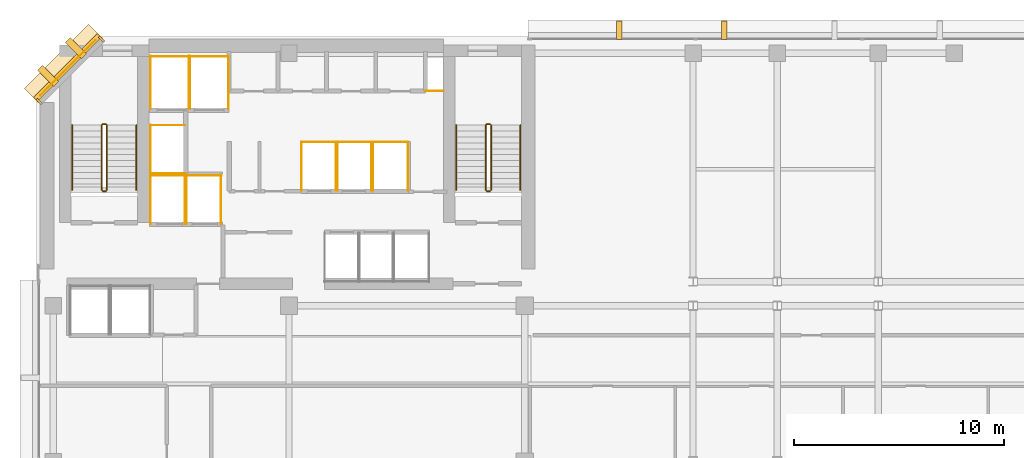
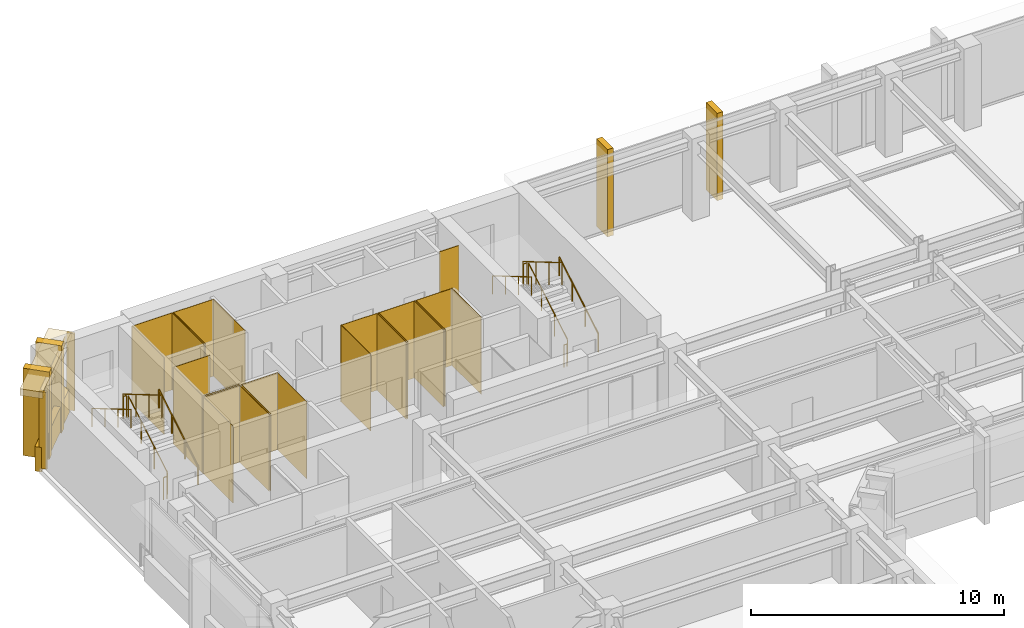
# One storey, part 11 of 12: 34 coverings, 12 railings.
"""IFC4 building model written with IfcOpenShell, lengths in metres."""

import ifcopenshell
import ifcopenshell.guid

model = None  # the IFC model being written
_history = None  # IfcOwnerHistory: only IFC2X3 demands one
_inside = {}  # id of a spatial element -> (the spatial element, [elements in it])
_under = {}  # id of a project, library or spatial element -> (it, [spatial elements below it])
_declared = {}  # id of a project -> (the project, [libraries it declares])
_typed = {}  # id of a type object -> (the type object, [elements of that type])
_made_of = {}  # id of a material, layer set ... -> (it, [elements and type objects made of it])


def new_model(schema):
    """Start an empty IFC model of exactly this schema.

    Asked for "IFC4X3", IfcOpenShell would pick the latest addendum, in which some entities
    have other attributes; the version numbers below select the first issue.
    IFC2X3 requires an IfcOwnerHistory on every rooted entity: one is made here for all.
    """
    global model, _history
    if schema == "IFC4X3":
        model = ifcopenshell.file(schema_version=(4, 3, 0, 0))
    else:
        model = ifcopenshell.file(schema=schema)
    _inside.clear()
    _under.clear()
    _declared.clear()
    _typed.clear()
    _made_of.clear()
    _history = None
    if model.schema == "IFC2X3":
        org = make("IfcOrganization", Name="unknown")
        user = make(
            "IfcPersonAndOrganization",
            ThePerson=make("IfcPerson", FamilyName="unknown"),
            TheOrganization=org,
        )
        app = make(
            "IfcApplication",
            ApplicationDeveloper=org,
            Version="unknown",
            ApplicationFullName="unknown",
            ApplicationIdentifier="unknown",
        )
        _history = make(
            "IfcOwnerHistory",
            OwningUser=user,
            OwningApplication=app,
            ChangeAction="ADDED",
            CreationDate=0,
        )
    return model


def make(cls, **values):
    """One entity of the class cls with the attributes given. An attribute that is None is left unset."""
    return model.create_entity(
        cls, **{name: value for name, value in values.items() if value is not None}
    )


def rooted(cls, **values):
    """An entity with a GlobalId (a new one), such as an element, a storey or a relation."""
    return make(cls, GlobalId=ifcopenshell.guid.new(), OwnerHistory=_history, **values)


def si_unit(unit_type, name, prefix=None):
    """IfcSIUnit, for example si_unit("LENGTHUNIT", "METRE", prefix="MILLI")."""
    return make("IfcSIUnit", UnitType=unit_type, Prefix=prefix, Name=name)


def assignment(units):
    """IfcUnitAssignment: the units of a project."""
    return None if units is None else make("IfcUnitAssignment", Units=units)


def point(xyz):
    """IfcCartesianPoint."""
    return None if xyz is None else make("IfcCartesianPoint", Coordinates=xyz)


def direction(xyz):
    """IfcDirection."""
    return None if xyz is None else make("IfcDirection", DirectionRatios=xyz)


def frame(location, z_axis=None, x_axis=None):
    """IfcAxis2Placement3D, a coordinate frame: its origin and axes. An axis left out is left unset."""
    return make(
        "IfcAxis2Placement3D",
        Location=point(location),
        Axis=direction(z_axis),
        RefDirection=direction(x_axis),
    )


def frame_2d(location, x_axis=None):
    """IfcAxis2Placement2D, a coordinate frame in the plane: its origin and x axis."""
    return make(
        "IfcAxis2Placement2D", Location=point(location), RefDirection=direction(x_axis)
    )


def origin():
    """The frame at (0, 0, 0) with its axes left unset."""
    return frame((0.0, 0.0, 0.0))


def origin_2d():
    """The frame at (0, 0) in the plane with its x axis left unset."""
    return frame_2d((0.0, 0.0))


def place(relative_to, where):
    """IfcLocalPlacement: puts the frame where relative to a parent placement (None: the world)."""
    return make(
        "IfcLocalPlacement", PlacementRelTo=relative_to, RelativePlacement=where
    )


def context(
    kind, dimensions, precision=None, world=None, true_north=None, identifier=None
):
    """IfcGeometricRepresentationContext, for example the 3D "Model" context."""
    return make(
        "IfcGeometricRepresentationContext",
        ContextIdentifier=identifier,
        ContextType=kind,
        CoordinateSpaceDimension=dimensions,
        Precision=precision,
        WorldCoordinateSystem=world,
        TrueNorth=true_north,
    )


def subcontext(parent, identifier, kind, view, scale=None):
    """IfcGeometricRepresentationSubContext, for example "Body" below "Model"."""
    return make(
        "IfcGeometricRepresentationSubContext",
        ContextIdentifier=identifier,
        ContextType=kind,
        ParentContext=parent,
        TargetScale=scale,
        TargetView=view,
    )


def project(units=None, contexts=None):
    """IfcProject with its units and contexts."""
    return rooted(
        "IfcProject",
        Name="project",
        RepresentationContexts=contexts,
        UnitsInContext=assignment(units),
    )


def spatial(cls, under=None, at=None, **own):
    """A site, building, storey or space (cls), placed at a placement, below another one or the project."""
    s = rooted(cls, ObjectPlacement=at, **own)
    if under is not None:
        _under.setdefault(under.id(), (under, []))[1].append(s)
    return s


def polyline(points):
    """IfcPolyline through the points."""
    return make("IfcPolyline", Points=[point(p) for p in points])


def profile(cls, at=None, kind="AREA", **sizes):
    """A parametric profile (cls). Its sizes go by their IFC names, for example OverallWidth=200.0."""
    return make(cls, ProfileType=kind, Position=at, **sizes)


def rectangle(**sizes):
    """IfcRectangleProfileDef."""
    return profile("IfcRectangleProfileDef", **sizes)


def circle(**sizes):
    """IfcCircleProfileDef."""
    return profile("IfcCircleProfileDef", **sizes)


def outline(outer, holes=None, kind="AREA"):
    """IfcArbitraryClosedProfileDef: a profile drawn as a closed curve; with holes, ...WithVoids."""
    if holes is None:
        return make("IfcArbitraryClosedProfileDef", ProfileType=kind, OuterCurve=outer)
    return make(
        "IfcArbitraryProfileDefWithVoids",
        ProfileType=kind,
        OuterCurve=outer,
        InnerCurves=holes,
    )


def extrude(swept, where, along, depth):
    """IfcExtrudedAreaSolid: the profile swept, set in the frame where, extruded along a direction by depth."""
    return make(
        "IfcExtrudedAreaSolid",
        SweptArea=swept,
        Position=where,
        ExtrudedDirection=direction(along),
        Depth=depth,
    )


def shape(context_of_items, identifier, shape_type, items):
    """IfcShapeRepresentation: the items that make up one representation, for example the "Body"."""
    return make(
        "IfcShapeRepresentation",
        ContextOfItems=context_of_items,
        RepresentationIdentifier=identifier,
        RepresentationType=shape_type,
        Items=items,
    )


def material(Name=None, Category=None):
    """IfcMaterial."""
    return make("IfcMaterial", Name=Name, Category=Category)


def layer(
    of_material, thickness, ventilated=None, Name=None, Category=None, Priority=None
):
    """IfcMaterialLayer: one layer of a wall or slab, of a material (None: an air gap)."""
    return make(
        "IfcMaterialLayer",
        Material=of_material,
        LayerThickness=thickness,
        IsVentilated=ventilated,
        Name=Name,
        Category=Category,
        Priority=Priority,
    )


def layer_set(layers, Name=None):
    """IfcMaterialLayerSet."""
    return make("IfcMaterialLayerSet", MaterialLayers=layers, LayerSetName=Name)


def made_of(thing, what):
    """Note that an element or type object is made of a material, layer set ...; save() writes the relation."""
    if what is not None:
        _made_of.setdefault(what.id(), (what, []))[1].append(thing)
    return thing


def type_object(cls, material=None, **own):
    """A type object (cls), such as IfcWallType, which elements share."""
    return made_of(rooted(cls, **own), material)


def element(
    cls,
    number,
    at=None,
    inside=None,
    cuts=None,
    type_object=None,
    material=None,
    context=None,
    identifier="Body",
    shape_type=None,
    held_by="IfcProductDefinitionShape",
    body=None,
    shapes=None,
    **own,
):
    """One element of the class cls, such as IfcWall. Its Tag is "e" and its number.

    at: its placement. inside: the storey or other place that contains it. cuts: it is an
    opening in that element (IfcRelVoidsElement). A single representation is given by context,
    identifier, shape_type and body (its items); several are given by shapes. held_by: the class
    of the entity that holds the representations. save() writes the other relations.
    """
    e = rooted(cls, Tag="e%d" % number, ObjectPlacement=at, **own)
    if body is not None:
        shapes = [shape(context, identifier, shape_type, body)]
    if shapes is not None:
        e.Representation = make(held_by, Representations=shapes)
    if inside is not None:
        _inside.setdefault(inside.id(), (inside, []))[1].append(e)
    if cuts is not None:
        rooted(
            "IfcRelVoidsElement", RelatingBuildingElement=cuts, RelatedOpeningElement=e
        )
    if type_object is not None:
        _typed.setdefault(type_object.id(), (type_object, []))[1].append(e)
    return made_of(e, material)


def aggregate(whole, parts):
    """IfcRelAggregates: a whole, such as a stair, and the parts it consists of."""
    return rooted("IfcRelAggregates", RelatingObject=whole, RelatedObjects=parts)


def save(model, path):
    """Write the relations noted so far, then the file.

    IfcRelAggregates (storeys below a building ...), IfcRelContainedInSpatialStructure (elements
    in a storey), IfcRelDefinesByType, IfcRelAssociatesMaterial and IfcRelDeclares: one each for
    every whole, place, type object, material and project.
    """
    for whole, parts in _under.values():
        aggregate(whole, parts)
    for where, things in _inside.values():
        rooted(
            "IfcRelContainedInSpatialStructure",
            RelatedElements=things,
            RelatingStructure=where,
        )
    for kind, things in _typed.values():
        rooted("IfcRelDefinesByType", RelatedObjects=things, RelatingType=kind)
    for what, things in _made_of.values():
        rooted("IfcRelAssociatesMaterial", RelatedObjects=things, RelatingMaterial=what)
    for by, libraries in _declared.values():
        rooted("IfcRelDeclares", RelatingContext=by, RelatedDefinitions=libraries)
    model.write(path)


model = new_model("IFC4")

# Units and contexts
model_context = context("Model", 3, precision=1e-05, world=origin(), true_north=direction((0.0, 1.0)))
body_context = subcontext(model_context, "Body", "Model", "MODEL_VIEW")
ifc_project = project(units=[si_unit("LENGTHUNIT", "METRE"), si_unit("AREAUNIT", "SQUARE_METRE"), si_unit("VOLUMEUNIT", "CUBIC_METRE"), si_unit("PLANEANGLEUNIT", "RADIAN"), si_unit("MASSUNIT", "GRAM", prefix="KILO")], contexts=[model_context])

# Site, building, storey
site_placement = place(None, origin())
site = spatial("IfcSite", under=ifc_project, at=site_placement, CompositionType="ELEMENT")
building_placement = place(site_placement, origin())
building = spatial("IfcBuilding", under=site, at=building_placement, Name="Kefirva Bronze Tower", CompositionType="ELEMENT")
storey_placement = place(building_placement, frame((0.0, 0.0, 195.360107421875)))
storey = spatial("IfcBuildingStorey", under=building, at=storey_placement, Name="L47", CompositionType="ELEMENT", Elevation=195.360107421875)

# Coverings
ifc_material_1 = material(Name="Bronze anodised aluminium", Category="aluminium")
ifc_layer_1 = layer(ifc_material_1, 0.02001953125, Name="Bronze anodised aluminium")
ifc_layer_set_1 = layer_set([ifc_layer_1], Name="Bronze anodised aluminium")
covering_type_1 = type_object("IfcCoveringType", Name="Anodised Bronze Spandrel Cladding 20mm", PredefinedType="CLADDING", material=ifc_layer_set_1)
covering_1_placement = place(storey_placement, frame((1.492919921875, 44.507080078125, 3.2900390625), z_axis=(0.0, 0.0, 1.0), x_axis=(-0.707106781187, -0.707106781187, 0.0)))
element("IfcCovering", 1, at=covering_1_placement, inside=storey, type_object=covering_type_1, Name="L47 Bronze Spandrel Cladding 6", PredefinedType="CLADDING", context=body_context, shape_type="SweptSolid", body=[
    extrude(rectangle(XDim=3.719482421875, YDim=0.02001953125, at=origin_2d()), origin(), (0.0, 0.0, 1.0), 0.39990234375),
])
for number, where, z_axis, x_axis, name in (
    (2, (3.08837890625, 45.862060546875, 0.0), (0.0, 0.0, 1.0), (-0.707106781187, -0.707106781187, 0.0), "L47 Facade Joint Closure Panel 6S"),
    (3, (0.137939453125, 42.91162109375, 0.0), (0.0, 0.0, 1.0), (-0.707106781187, -0.707106781187, 0.0), "L47 Facade Joint Closure Panel 6E"),
):
    element("IfcCovering", number, at=place(storey_placement, frame(where, z_axis=z_axis, x_axis=x_axis)), inside=storey, type_object=covering_type_1, Name=name, PredefinedType="CLADDING", context=body_context, shape_type="SweptSolid", body=[
        extrude(rectangle(XDim=0.10009765625, YDim=0.320068359375, at=origin_2d()), origin(), (0.0, 0.0, 1.0), 3.7099609375),
    ])
covering_2_placement = place(storey_placement, frame((1.4716796875, 44.5283203125, -0.16015625), z_axis=(0.0, 0.0, 1.0), x_axis=(-0.707106781187, -0.707106781187, 0.0)))
element("IfcCovering", 4, at=covering_2_placement, inside=storey, type_object=covering_type_1, Name="L47 Streamline Horizontal Spandrel Band 9", PredefinedType="CLADDING", context=body_context, shape_type="SweptSolid", body=[
    extrude(rectangle(XDim=4.28271484375, YDim=0.280029296875, at=origin_2d()), origin(), (0.0, 0.0, 1.0), 1.179931640625),
])
covering_3_placement = place(storey_placement, origin())
element("IfcCovering", 5, at=covering_3_placement, inside=storey, type_object=covering_type_1, Name="L47 Lift FF1 Hoistway Liner N", PredefinedType="CLADDING", context=body_context, shape_type="SweptSolid", body=[
    extrude(outline(polyline([(5.39990234375, 39.389892578125), (7.080078125, 39.389892578125), (7.080078125, 39.409912109375), (5.39990234375, 39.409912109375), (5.39990234375, 39.389892578125)])), origin(), (0.0, 0.0, 1.0), 3.7099609375),
])
covering_4_placement = place(storey_placement, origin())
element("IfcCovering", 6, at=covering_4_placement, inside=storey, type_object=covering_type_1, Name="L47 Lift FF1 Hoistway Liner W", PredefinedType="CLADDING", context=body_context, shape_type="SweptSolid", body=[
    extrude(outline(polyline([(5.409912109375, 37.080078125), (5.429931640625, 37.080078125), (5.429931640625, 39.419921875), (5.409912109375, 39.419921875), (5.409912109375, 37.080078125)])), origin(), (0.0, 0.0, 1.0), 3.7099609375),
])
covering_5_placement = place(storey_placement, origin())
element("IfcCovering", 7, at=covering_5_placement, inside=storey, type_object=covering_type_1, Name="L47 Lift FF1 Hoistway Liner E", PredefinedType="CLADDING", context=body_context, shape_type="SweptSolid", body=[
    extrude(outline(polyline([(7.050048828125, 37.080078125), (7.070068359375, 37.080078125), (7.070068359375, 39.419921875), (7.050048828125, 39.419921875), (7.050048828125, 37.080078125)])), origin(), (0.0, 0.0, 1.0), 3.7099609375),
])
covering_6_placement = place(storey_placement, origin())
element("IfcCovering", 8, at=covering_6_placement, inside=storey, type_object=covering_type_1, Name="L47 Lift FF2 Hoistway Liner N", PredefinedType="CLADDING", context=body_context, shape_type="SweptSolid", body=[
    extrude(outline(polyline([(7.1201171875, 39.389892578125), (8.800048828125, 39.389892578125), (8.800048828125, 39.409912109375), (7.1201171875, 39.409912109375), (7.1201171875, 39.389892578125)])), origin(), (0.0, 0.0, 1.0), 3.7099609375),
])
covering_7_placement = place(storey_placement, origin())
element("IfcCovering", 9, at=covering_7_placement, inside=storey, type_object=covering_type_1, Name="L47 Lift FF2 Hoistway Liner W", PredefinedType="CLADDING", context=body_context, shape_type="SweptSolid", body=[
    extrude(outline(polyline([(7.1298828125, 37.080078125), (7.14990234375, 37.080078125), (7.14990234375, 39.419921875), (7.1298828125, 39.419921875), (7.1298828125, 37.080078125)])), origin(), (0.0, 0.0, 1.0), 3.7099609375),
])
covering_8_placement = place(storey_placement, origin())
element("IfcCovering", 10, at=covering_8_placement, inside=storey, type_object=covering_type_1, Name="L47 Lift FF2 Hoistway Liner E", PredefinedType="CLADDING", context=body_context, shape_type="SweptSolid", body=[
    extrude(outline(polyline([(8.77001953125, 37.080078125), (8.7900390625, 37.080078125), (8.7900390625, 39.419921875), (8.77001953125, 39.419921875), (8.77001953125, 37.080078125)])), origin(), (0.0, 0.0, 1.0), 3.7099609375),
])
covering_9_placement = place(storey_placement, origin())
element("IfcCovering", 11, at=covering_9_placement, inside=storey, type_object=covering_type_1, Name="L47 Lift SV1 Hoistway Liner N", PredefinedType="CLADDING", context=body_context, shape_type="SweptSolid", body=[
    extrude(outline(polyline([(5.39990234375, 45.0400390625), (7.260009765625, 45.0400390625), (7.260009765625, 45.06005859375), (5.39990234375, 45.06005859375), (5.39990234375, 45.0400390625)])), origin(), (0.0, 0.0, 1.0), 3.7099609375),
])
covering_10_placement = place(storey_placement, origin())
element("IfcCovering", 12, at=covering_10_placement, inside=storey, type_object=covering_type_1, Name="L47 Lift SV1 Hoistway Liner W", PredefinedType="CLADDING", context=body_context, shape_type="SweptSolid", body=[
    extrude(outline(polyline([(5.409912109375, 42.530029296875), (5.429931640625, 42.530029296875), (5.429931640625, 45.070068359375), (5.409912109375, 45.070068359375), (5.409912109375, 42.530029296875)])), origin(), (0.0, 0.0, 1.0), 3.7099609375),
])
covering_11_placement = place(storey_placement, origin())
element("IfcCovering", 13, at=covering_11_placement, inside=storey, type_object=covering_type_1, Name="L47 Lift SV1 Hoistway Liner E", PredefinedType="CLADDING", context=body_context, shape_type="SweptSolid", body=[
    extrude(outline(polyline([(7.22998046875, 42.530029296875), (7.25, 42.530029296875), (7.25, 45.070068359375), (7.22998046875, 45.070068359375), (7.22998046875, 42.530029296875)])), origin(), (0.0, 0.0, 1.0), 3.7099609375),
])
covering_12_placement = place(storey_placement, origin())
element("IfcCovering", 14, at=covering_12_placement, inside=storey, type_object=covering_type_1, Name="L47 Lift SV2 Hoistway Liner N", PredefinedType="CLADDING", context=body_context, shape_type="SweptSolid", body=[
    extrude(outline(polyline([(7.280029296875, 45.0400390625), (9.139892578125, 45.0400390625), (9.139892578125, 45.06005859375), (7.280029296875, 45.06005859375), (7.280029296875, 45.0400390625)])), origin(), (0.0, 0.0, 1.0), 3.7099609375),
])
covering_13_placement = place(storey_placement, origin())
element("IfcCovering", 15, at=covering_13_placement, inside=storey, type_object=covering_type_1, Name="L47 Lift SV2 Hoistway Liner W", PredefinedType="CLADDING", context=body_context, shape_type="SweptSolid", body=[
    extrude(outline(polyline([(7.2900390625, 42.530029296875), (7.31005859375, 42.530029296875), (7.31005859375, 45.070068359375), (7.2900390625, 45.070068359375), (7.2900390625, 42.530029296875)])), origin(), (0.0, 0.0, 1.0), 3.7099609375),
])
covering_14_placement = place(storey_placement, origin())
element("IfcCovering", 16, at=covering_14_placement, inside=storey, type_object=covering_type_1, Name="L47 Lift SV2 Hoistway Liner E", PredefinedType="CLADDING", context=body_context, shape_type="SweptSolid", body=[
    extrude(outline(polyline([(9.110107421875, 42.530029296875), (9.1298828125, 42.530029296875), (9.1298828125, 45.070068359375), (9.110107421875, 45.070068359375), (9.110107421875, 42.530029296875)])), origin(), (0.0, 0.0, 1.0), 3.7099609375),
])
covering_15_placement = place(storey_placement, origin())
element("IfcCovering", 17, at=covering_15_placement, inside=storey, type_object=covering_type_1, Name="L47 Lift MP3 Hoistway Liner N", PredefinedType="CLADDING", context=body_context, shape_type="SweptSolid", body=[
    extrude(outline(polyline([(12.580078125, 40.969970703125), (14.25, 40.969970703125), (14.25, 40.989990234375), (12.580078125, 40.989990234375), (12.580078125, 40.969970703125)])), origin(), (0.0, 0.0, 1.0), 3.7099609375),
])
covering_16_placement = place(storey_placement, origin())
element("IfcCovering", 18, at=covering_16_placement, inside=storey, type_object=covering_type_1, Name="L47 Lift MP3 Hoistway Liner W", PredefinedType="CLADDING", context=body_context, shape_type="SweptSolid", body=[
    extrude(outline(polyline([(12.590087890625, 38.659912109375), (12.610107421875, 38.659912109375), (12.610107421875, 41.0), (12.590087890625, 41.0), (12.590087890625, 38.659912109375)])), origin(), (0.0, 0.0, 1.0), 3.7099609375),
])
covering_17_placement = place(storey_placement, origin())
element("IfcCovering", 19, at=covering_17_placement, inside=storey, type_object=covering_type_1, Name="L47 Lift MP3 Hoistway Liner E", PredefinedType="CLADDING", context=body_context, shape_type="SweptSolid", body=[
    extrude(outline(polyline([(14.219970703125, 38.659912109375), (14.239990234375, 38.659912109375), (14.239990234375, 41.0), (14.219970703125, 41.0), (14.219970703125, 38.659912109375)])), origin(), (0.0, 0.0, 1.0), 3.7099609375),
])
covering_18_placement = place(storey_placement, origin())
element("IfcCovering", 20, at=covering_18_placement, inside=storey, type_object=covering_type_1, Name="L47 Lift MP4 Hoistway Liner N", PredefinedType="CLADDING", context=body_context, shape_type="SweptSolid", body=[
    extrude(outline(polyline([(14.280029296875, 40.969970703125), (15.949951171875, 40.969970703125), (15.949951171875, 40.989990234375), (14.280029296875, 40.989990234375), (14.280029296875, 40.969970703125)])), origin(), (0.0, 0.0, 1.0), 3.7099609375),
])
covering_19_placement = place(storey_placement, origin())
element("IfcCovering", 21, at=covering_19_placement, inside=storey, type_object=covering_type_1, Name="L47 Lift MP4 Hoistway Liner W", PredefinedType="CLADDING", context=body_context, shape_type="SweptSolid", body=[
    extrude(outline(polyline([(14.2900390625, 38.659912109375), (14.31005859375, 38.659912109375), (14.31005859375, 41.0), (14.2900390625, 41.0), (14.2900390625, 38.659912109375)])), origin(), (0.0, 0.0, 1.0), 3.7099609375),
])
covering_20_placement = place(storey_placement, origin())
element("IfcCovering", 22, at=covering_20_placement, inside=storey, type_object=covering_type_1, Name="L47 Lift MP4 Hoistway Liner E", PredefinedType="CLADDING", context=body_context, shape_type="SweptSolid", body=[
    extrude(outline(polyline([(15.919921875, 38.659912109375), (15.93994140625, 38.659912109375), (15.93994140625, 41.0), (15.919921875, 41.0), (15.919921875, 38.659912109375)])), origin(), (0.0, 0.0, 1.0), 3.7099609375),
])
covering_21_placement = place(storey_placement, origin())
element("IfcCovering", 23, at=covering_21_placement, inside=storey, type_object=covering_type_1, Name="L47 Lift HP2 Hoistway Liner N", PredefinedType="CLADDING", context=body_context, shape_type="SweptSolid", body=[
    extrude(outline(polyline([(15.97998046875, 40.969970703125), (17.669921875, 40.969970703125), (17.669921875, 40.989990234375), (15.97998046875, 40.989990234375), (15.97998046875, 40.969970703125)])), origin(), (0.0, 0.0, 1.0), 3.7099609375),
])
covering_22_placement = place(storey_placement, origin())
element("IfcCovering", 24, at=covering_22_placement, inside=storey, type_object=covering_type_1, Name="L47 Lift HP2 Hoistway Liner W", PredefinedType="CLADDING", context=body_context, shape_type="SweptSolid", body=[
    extrude(outline(polyline([(15.989990234375, 38.659912109375), (16.010009765625, 38.659912109375), (16.010009765625, 41.0), (15.989990234375, 41.0), (15.989990234375, 38.659912109375)])), origin(), (0.0, 0.0, 1.0), 3.7099609375),
])
covering_23_placement = place(storey_placement, origin())
element("IfcCovering", 25, at=covering_23_placement, inside=storey, type_object=covering_type_1, Name="L47 Lift HP2 Hoistway Liner E", PredefinedType="CLADDING", context=body_context, shape_type="SweptSolid", body=[
    extrude(outline(polyline([(17.639892578125, 38.659912109375), (17.659912109375, 38.659912109375), (17.659912109375, 41.0), (17.639892578125, 41.0), (17.639892578125, 38.659912109375)])), origin(), (0.0, 0.0, 1.0), 3.7099609375),
])
covering_24_placement = place(storey_placement, origin())
element("IfcCovering", 26, at=covering_24_placement, inside=storey, type_object=covering_type_1, Name="L47 Lift HP3 Hoistway Liner N", PredefinedType="CLADDING", context=body_context, shape_type="SweptSolid", body=[
    extrude(outline(polyline([(5.39990234375, 41.77001953125), (7.080078125, 41.77001953125), (7.080078125, 41.7900390625), (5.39990234375, 41.7900390625), (5.39990234375, 41.77001953125)])), origin(), (0.0, 0.0, 1.0), 3.7099609375),
])
covering_25_placement = place(storey_placement, origin())
element("IfcCovering", 27, at=covering_25_placement, inside=storey, type_object=covering_type_1, Name="L47 Lift HP3 Hoistway Liner S", PredefinedType="CLADDING", context=body_context, shape_type="SweptSolid", body=[
    extrude(outline(polyline([(5.39990234375, 39.469970703125), (7.080078125, 39.469970703125), (7.080078125, 39.489990234375), (5.39990234375, 39.489990234375), (5.39990234375, 39.469970703125)])), origin(), (0.0, 0.0, 1.0), 3.7099609375),
])
covering_26_placement = place(storey_placement, origin())
element("IfcCovering", 28, at=covering_26_placement, inside=storey, type_object=covering_type_1, Name="L47 Lift HP3 Hoistway Liner W", PredefinedType="CLADDING", context=body_context, shape_type="SweptSolid", body=[
    extrude(outline(polyline([(5.409912109375, 39.4599609375), (5.429931640625, 39.4599609375), (5.429931640625, 41.800048828125), (5.409912109375, 41.800048828125), (5.409912109375, 39.4599609375)])), origin(), (0.0, 0.0, 1.0), 3.7099609375),
])
covering_27_placement = place(storey_placement, origin())
element("IfcCovering", 29, at=covering_27_placement, inside=storey, type_object=covering_type_1, Name="L47 Core MEP Riser Shaft Liner South", PredefinedType="CLADDING", context=body_context, shape_type="SweptSolid", body=[
    extrude(outline(polyline([(18.47998046875, 43.39990234375), (19.360107421875, 43.39990234375), (19.360107421875, 43.429931640625), (18.47998046875, 43.429931640625), (18.47998046875, 43.39990234375)])), origin(), (0.0, 0.0, 1.0), 3.7099609375),
])

# Railings
ifc_material_2 = material(Name="Stainless steel 316", Category="steel")
railing_type_1 = type_object("IfcRailingType", Name="Interior Stair Guardrail 1100mm", PredefinedType="GUARDRAIL", material=ifc_material_2)
railing_1_placement = place(storey_placement, frame((3.35009765625, 38.699951171875, 0.164794921875)))
element("IfcRailing", 30, at=railing_1_placement, inside=storey, type_object=railing_type_1, Name="L47 ST-1 stair guard 1", PredefinedType="GUARDRAIL", context=body_context, shape_type="SweptSolid", body=[
    extrude(circle(Radius=0.02392578125, at=origin_2d()), frame((0.0, 0.0, 1.076171875), z_axis=(0.0, 0.861521393093, 0.507721271215), x_axis=(-1.0, 0.0, 0.0)), (0.0, 0.0, 1.0), 3.5751953125),
    extrude(circle(Radius=0.02099609375, at=origin_2d()), origin(), (0.0, 0.0, 1.0), 1.052001953125),
    extrude(circle(Radius=0.02099609375, at=origin_2d()), frame((0.0, 1.026611328125, 0.60498046875)), (0.0, 0.0, 1.0), 1.052001953125),
    extrude(circle(Radius=0.02099609375, at=origin_2d()), frame((0.0, 2.053466796875, 1.210205078125)), (0.0, 0.0, 1.0), 1.052001953125),
    extrude(circle(Radius=0.02099609375, at=origin_2d()), frame((0.0, 3.080078125, 1.815185546875)), (0.0, 0.0, 1.0), 1.052001953125),
])
railing_2_placement = place(storey_placement, frame((3.300048828125, 41.830078125, 1.97998046875)))
element("IfcRailing", 31, at=railing_2_placement, inside=storey, type_object=railing_type_1, Name="L47 ST-1 stair guard 2", PredefinedType="GUARDRAIL", context=body_context, shape_type="SweptSolid", body=[
    extrude(circle(Radius=0.02392578125, at=origin_2d()), frame((0.0, 0.0, 1.076171875), z_axis=(-1.0, 0.0, 0.0), x_axis=(0.0, -1.0, 0.0)), (0.0, 0.0, 1.0), 0.150146484375),
    extrude(circle(Radius=0.02099609375, at=origin_2d()), origin(), (0.0, 0.0, 1.0), 1.052001953125),
    extrude(circle(Radius=0.02099609375, at=origin_2d()), frame((-0.150146484375, 0.0, 0.0)), (0.0, 0.0, 1.0), 1.052001953125),
])
railing_3_placement = place(storey_placement, frame((3.10009765625, 41.780029296875, 2.144775390625)))
element("IfcRailing", 32, at=railing_3_placement, inside=storey, type_object=railing_type_1, Name="L47 ST-1 stair guard 3", PredefinedType="GUARDRAIL", context=body_context, shape_type="SweptSolid", body=[
    extrude(circle(Radius=0.02392578125, at=origin_2d()), frame((0.0, 0.0, 1.076171875), z_axis=(0.0, -0.861521393093, 0.507721271215), x_axis=(1.0, 0.0, 0.0)), (0.0, 0.0, 1.0), 3.5751953125),
    extrude(circle(Radius=0.02099609375, at=origin_2d()), origin(), (0.0, 0.0, 1.0), 1.052001953125),
    extrude(circle(Radius=0.02099609375, at=origin_2d()), frame((0.0, -1.026611328125, 0.60498046875)), (0.0, 0.0, 1.0), 1.052001953125),
    extrude(circle(Radius=0.02099609375, at=origin_2d()), frame((0.0, -2.053466796875, 1.210205078125)), (0.0, 0.0, 1.0), 1.052001953125),
    extrude(circle(Radius=0.02099609375, at=origin_2d()), frame((0.0, -3.080078125, 1.815185546875)), (0.0, 0.0, 1.0), 1.052001953125),
])
railing_4_placement = place(storey_placement, frame((3.300048828125, 38.64990234375, 0.0)))
element("IfcRailing", 33, at=railing_4_placement, inside=storey, type_object=railing_type_1, Name="L47 ST-1 stair guard 4", PredefinedType="GUARDRAIL", context=body_context, shape_type="SweptSolid", body=[
    extrude(circle(Radius=0.02392578125, at=origin_2d()), frame((0.0, 0.0, 1.076171875), z_axis=(-1.0, 0.0, 0.0), x_axis=(0.0, -1.0, 0.0)), (0.0, 0.0, 1.0), 0.150146484375),
    extrude(circle(Radius=0.02099609375, at=origin_2d()), origin(), (0.0, 0.0, 1.0), 1.052001953125),
    extrude(circle(Radius=0.02099609375, at=origin_2d()), frame((-0.150146484375, 0.0, 0.0)), (0.0, 0.0, 1.0), 1.052001953125),
])
railing_5_placement = place(storey_placement, frame((21.60009765625, 38.699951171875, 0.164794921875)))
element("IfcRailing", 34, at=railing_5_placement, inside=storey, type_object=railing_type_1, Name="L47 ST-2 stair guard 1", PredefinedType="GUARDRAIL", context=body_context, shape_type="SweptSolid", body=[
    extrude(circle(Radius=0.02392578125, at=origin_2d()), frame((0.0, 0.0, 1.076171875), z_axis=(0.0, 0.861521393093, 0.507721271215), x_axis=(-1.0, 0.0, 0.0)), (0.0, 0.0, 1.0), 3.5751953125),
    extrude(circle(Radius=0.02099609375, at=origin_2d()), origin(), (0.0, 0.0, 1.0), 1.052001953125),
    extrude(circle(Radius=0.02099609375, at=origin_2d()), frame((0.0, 1.026611328125, 0.60498046875)), (0.0, 0.0, 1.0), 1.052001953125),
    extrude(circle(Radius=0.02099609375, at=origin_2d()), frame((0.0, 2.053466796875, 1.210205078125)), (0.0, 0.0, 1.0), 1.052001953125),
    extrude(circle(Radius=0.02099609375, at=origin_2d()), frame((0.0, 3.080078125, 1.815185546875)), (0.0, 0.0, 1.0), 1.052001953125),
])
railing_6_placement = place(storey_placement, frame((21.550048828125, 41.830078125, 1.97998046875)))
element("IfcRailing", 35, at=railing_6_placement, inside=storey, type_object=railing_type_1, Name="L47 ST-2 stair guard 2", PredefinedType="GUARDRAIL", context=body_context, shape_type="SweptSolid", body=[
    extrude(circle(Radius=0.02392578125, at=origin_2d()), frame((0.0, 0.0, 1.076171875), z_axis=(-1.0, 0.0, 0.0), x_axis=(0.0, -1.0, 0.0)), (0.0, 0.0, 1.0), 0.150146484375),
    extrude(circle(Radius=0.02099609375, at=origin_2d()), origin(), (0.0, 0.0, 1.0), 1.052001953125),
    extrude(circle(Radius=0.02099609375, at=origin_2d()), frame((-0.150146484375, 0.0, 0.0)), (0.0, 0.0, 1.0), 1.052001953125),
])
railing_7_placement = place(storey_placement, frame((21.35009765625, 41.780029296875, 2.144775390625)))
element("IfcRailing", 36, at=railing_7_placement, inside=storey, type_object=railing_type_1, Name="L47 ST-2 stair guard 3", PredefinedType="GUARDRAIL", context=body_context, shape_type="SweptSolid", body=[
    extrude(circle(Radius=0.02392578125, at=origin_2d()), frame((0.0, 0.0, 1.076171875), z_axis=(0.0, -0.861521393093, 0.507721271215), x_axis=(1.0, 0.0, 0.0)), (0.0, 0.0, 1.0), 3.5751953125),
    extrude(circle(Radius=0.02099609375, at=origin_2d()), origin(), (0.0, 0.0, 1.0), 1.052001953125),
    extrude(circle(Radius=0.02099609375, at=origin_2d()), frame((0.0, -1.026611328125, 0.60498046875)), (0.0, 0.0, 1.0), 1.052001953125),
    extrude(circle(Radius=0.02099609375, at=origin_2d()), frame((0.0, -2.053466796875, 1.210205078125)), (0.0, 0.0, 1.0), 1.052001953125),
    extrude(circle(Radius=0.02099609375, at=origin_2d()), frame((0.0, -3.080078125, 1.815185546875)), (0.0, 0.0, 1.0), 1.052001953125),
])
railing_8_placement = place(storey_placement, frame((21.550048828125, 38.64990234375, 0.0)))
element("IfcRailing", 37, at=railing_8_placement, inside=storey, type_object=railing_type_1, Name="L47 ST-2 stair guard 4", PredefinedType="GUARDRAIL", context=body_context, shape_type="SweptSolid", body=[
    extrude(circle(Radius=0.02392578125, at=origin_2d()), frame((0.0, 0.0, 1.076171875), z_axis=(-1.0, 0.0, 0.0), x_axis=(0.0, -1.0, 0.0)), (0.0, 0.0, 1.0), 0.150146484375),
    extrude(circle(Radius=0.02099609375, at=origin_2d()), origin(), (0.0, 0.0, 1.0), 1.052001953125),
    extrude(circle(Radius=0.02099609375, at=origin_2d()), frame((-0.150146484375, 0.0, 0.0)), (0.0, 0.0, 1.0), 1.052001953125),
])
railing_type_2 = type_object("IfcRailingType", Name="Stair Pitch Handrail 900mm", PredefinedType="HANDRAIL", material=ifc_material_2)
railing_9_placement = place(storey_placement, frame((4.75, 38.699951171875, 0.164794921875)))
element("IfcRailing", 38, at=railing_9_placement, inside=storey, type_object=railing_type_2, Name="L47 ST-1 stair handrail 1", PredefinedType="HANDRAIL", context=body_context, shape_type="SweptSolid", body=[
    extrude(circle(Radius=0.02392578125, at=origin_2d()), frame((0.0, 0.0, 0.8759765625), z_axis=(0.0, 0.861521393093, 0.507721271215), x_axis=(-1.0, 0.0, 0.0)), (0.0, 0.0, 1.0), 3.5751953125),
    extrude(circle(Radius=0.02099609375, at=origin_2d()), origin(), (0.0, 0.0, 1.0), 0.851806640625),
    extrude(circle(Radius=0.02099609375, at=origin_2d()), frame((0.0, 1.026611328125, 0.60498046875)), (0.0, 0.0, 1.0), 0.851806640625),
    extrude(circle(Radius=0.02099609375, at=origin_2d()), frame((0.0, 2.053466796875, 1.210205078125)), (0.0, 0.0, 1.0), 0.851806640625),
    extrude(circle(Radius=0.02099609375, at=origin_2d()), frame((0.0, 3.080078125, 1.815185546875)), (0.0, 0.0, 1.0), 0.851806640625),
])
railing_10_placement = place(storey_placement, frame((1.699951171875, 41.780029296875, 2.144775390625)))
element("IfcRailing", 39, at=railing_10_placement, inside=storey, type_object=railing_type_2, Name="L47 ST-1 stair handrail 2", PredefinedType="HANDRAIL", context=body_context, shape_type="SweptSolid", body=[
    extrude(circle(Radius=0.02392578125, at=origin_2d()), frame((0.0, 0.0, 0.8759765625), z_axis=(0.0, -0.861521393093, 0.507721271215), x_axis=(1.0, 0.0, 0.0)), (0.0, 0.0, 1.0), 3.5751953125),
    extrude(circle(Radius=0.02099609375, at=origin_2d()), origin(), (0.0, 0.0, 1.0), 0.851806640625),
    extrude(circle(Radius=0.02099609375, at=origin_2d()), frame((0.0, -1.026611328125, 0.60498046875)), (0.0, 0.0, 1.0), 0.851806640625),
    extrude(circle(Radius=0.02099609375, at=origin_2d()), frame((0.0, -2.053466796875, 1.210205078125)), (0.0, 0.0, 1.0), 0.851806640625),
    extrude(circle(Radius=0.02099609375, at=origin_2d()), frame((0.0, -3.080078125, 1.815185546875)), (0.0, 0.0, 1.0), 0.851806640625),
])
railing_11_placement = place(storey_placement, frame((23.0, 38.699951171875, 0.164794921875)))
element("IfcRailing", 40, at=railing_11_placement, inside=storey, type_object=railing_type_2, Name="L47 ST-2 stair handrail 1", PredefinedType="HANDRAIL", context=body_context, shape_type="SweptSolid", body=[
    extrude(circle(Radius=0.02392578125, at=origin_2d()), frame((0.0, 0.0, 0.8759765625), z_axis=(0.0, 0.861521393093, 0.507721271215), x_axis=(-1.0, 0.0, 0.0)), (0.0, 0.0, 1.0), 3.5751953125),
    extrude(circle(Radius=0.02099609375, at=origin_2d()), origin(), (0.0, 0.0, 1.0), 0.851806640625),
    extrude(circle(Radius=0.02099609375, at=origin_2d()), frame((0.0, 1.026611328125, 0.60498046875)), (0.0, 0.0, 1.0), 0.851806640625),
    extrude(circle(Radius=0.02099609375, at=origin_2d()), frame((0.0, 2.053466796875, 1.210205078125)), (0.0, 0.0, 1.0), 0.851806640625),
    extrude(circle(Radius=0.02099609375, at=origin_2d()), frame((0.0, 3.080078125, 1.815185546875)), (0.0, 0.0, 1.0), 0.851806640625),
])
railing_12_placement = place(storey_placement, frame((19.949951171875, 41.780029296875, 2.144775390625)))
element("IfcRailing", 41, at=railing_12_placement, inside=storey, type_object=railing_type_2, Name="L47 ST-2 stair handrail 2", PredefinedType="HANDRAIL", context=body_context, shape_type="SweptSolid", body=[
    extrude(circle(Radius=0.02392578125, at=origin_2d()), frame((0.0, 0.0, 0.8759765625), z_axis=(0.0, -0.861521393093, 0.507721271215), x_axis=(1.0, 0.0, 0.0)), (0.0, 0.0, 1.0), 3.5751953125),
    extrude(circle(Radius=0.02099609375, at=origin_2d()), origin(), (0.0, 0.0, 1.0), 0.851806640625),
    extrude(circle(Radius=0.02099609375, at=origin_2d()), frame((0.0, -1.026611328125, 0.60498046875)), (0.0, 0.0, 1.0), 0.851806640625),
    extrude(circle(Radius=0.02099609375, at=origin_2d()), frame((0.0, -2.053466796875, 1.210205078125)), (0.0, 0.0, 1.0), 0.851806640625),
    extrude(circle(Radius=0.02099609375, at=origin_2d()), frame((0.0, -3.080078125, 1.815185546875)), (0.0, 0.0, 1.0), 0.851806640625),
])

# Coverings
ifc_layer_2 = layer(ifc_material_1, 0.179931640625, Name="Bronze anodised aluminium")
ifc_layer_set_2 = layer_set([ifc_layer_2], Name="Bronze anodised aluminium")
covering_type_2 = type_object("IfcCoveringType", Name="Streamline Bronze Sunshade Eyebrow Cladding 180mm", PredefinedType="CLADDING", material=ifc_layer_set_2)
covering_28_placement = place(storey_placement, frame((1.28076171875, 44.71923828125, 3.3896484375), z_axis=(0.0, 0.0, 1.0), x_axis=(-0.707106781187, -0.707106781187, 0.0)))
element("IfcCovering", 42, at=covering_28_placement, inside=storey, type_object=covering_type_2, Name="L47 Streamline Bronze Sunshade Eyebrow 9", PredefinedType="CLADDING", context=body_context, shape_type="SweptSolid", body=[
    extrude(rectangle(XDim=4.322509765625, YDim=0.93994140625, at=origin_2d()), origin(), (0.0, 0.0, 1.0), 0.320068359375),
])
ifc_layer_3 = layer(ifc_material_1, 0.260009765625, Name="Bronze anodised aluminium")
ifc_layer_set_3 = layer_set([ifc_layer_3], Name="Bronze anodised aluminium")
covering_type_3 = type_object("IfcCoveringType", Name="Unbroken Bronze Buttress Fin Cladding 260mm", PredefinedType="CLADDING", material=ifc_layer_set_3)
for number, where, z_axis, x_axis, name in (
    (43, (32.68505859375, 46.300048828125, -0.25), (0.0, 0.0, 1.0), (-1.0, 0.0, 0.0), "L47 Unbroken Vertical Bronze Rib Fin 19"),
    (44, (27.68798828125, 46.300048828125, -0.25), (0.0, 0.0, 1.0), (-1.0, 0.0, 0.0), "L47 Unbroken Vertical Bronze Rib Fin 20"),
):
    element("IfcCovering", number, at=place(storey_placement, frame(where, z_axis=z_axis, x_axis=x_axis)), inside=storey, type_object=covering_type_3, Name=name, PredefinedType="CLADDING", context=body_context, shape_type="SweptSolid", body=[
        extrude(rectangle(XDim=0.260009765625, YDim=0.8798828125, at=origin_2d()), origin(), (0.0, 0.0, 1.0), 4.2099609375),
    ])
for number, where, z_axis, x_axis, name in (
    (45, (1.877197265625, 45.44287109375, -0.25), (0.0, 0.0, 1.0), (-0.707106781187, -0.707106781187, 0.0), "L47 Chamfered Corner Buttress Fin Cladding 21"),
    (46, (0.55712890625, 44.122802734375, -0.25), (0.0, 0.0, 1.0), (-0.707106781187, -0.707106781187, 0.0), "L47 Chamfered Corner Buttress Fin Cladding 22"),
):
    element("IfcCovering", number, at=place(storey_placement, frame(where, z_axis=z_axis, x_axis=x_axis)), inside=storey, type_object=covering_type_3, Name=name, PredefinedType="CLADDING", context=body_context, shape_type="SweptSolid", body=[
        extrude(rectangle(XDim=0.340087890625, YDim=1.080078125, at=origin_2d()), origin(), (0.0, 0.0, 1.0), 4.2099609375),
    ])

save(model, "model.ifc")
